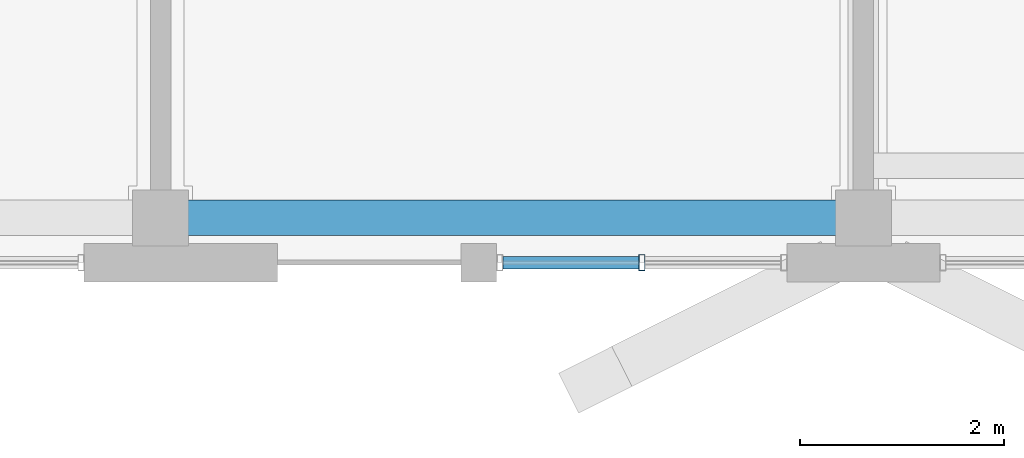
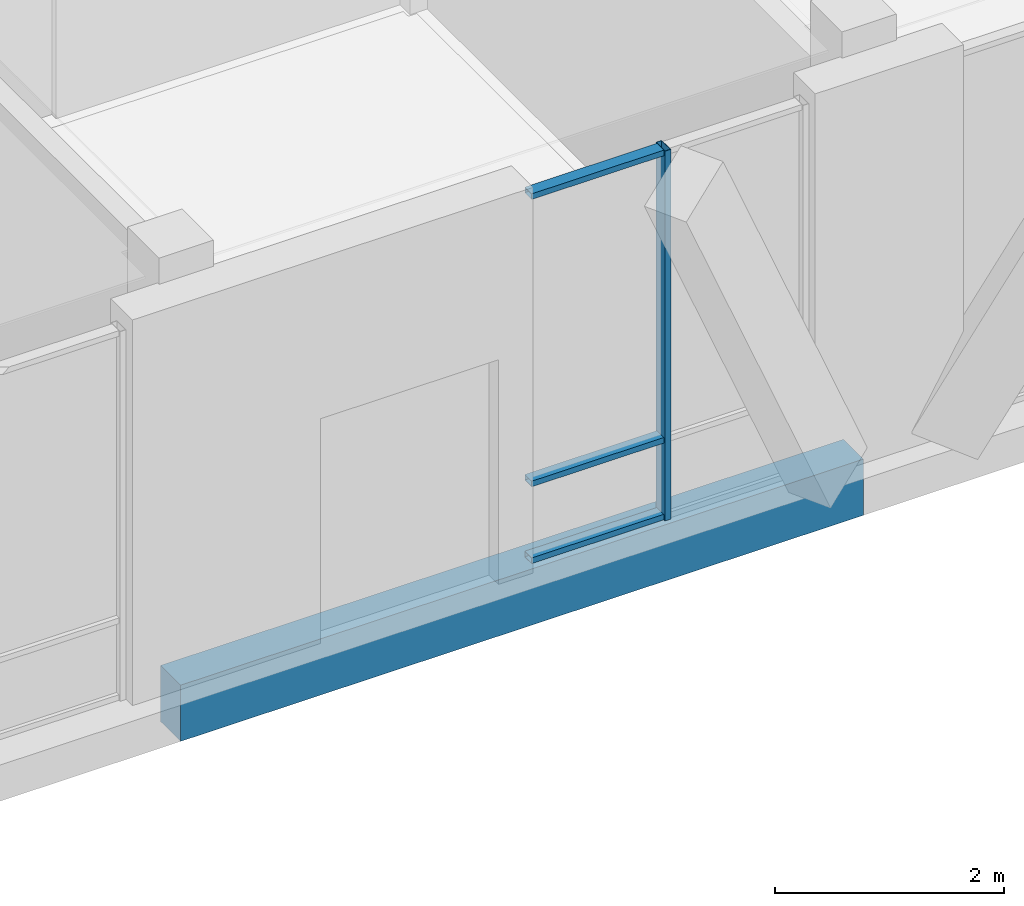
# One storey, part 140 of 233: 4 members, 1 beam, 1 element without a shape of its own.
"""IFC4 building model written with IfcOpenShell, lengths in metres."""

from ifc_helpers import new_model, si_unit, direction, frame, origin, origin_2d, place, context, subcontext, project, spatial, rectangle, hollow_rectangle, extrude, material, material_profile, profile_set, type_object, element, aggregate, save


model = new_model("IFC4")

# Units and contexts
model_context = context("Model", 3, precision=1e-05, world=origin(), true_north=direction((0.0, 1.0)))
body_context = subcontext(model_context, "Body", "Model", "MODEL_VIEW")
ifc_project = project(units=[si_unit("LENGTHUNIT", "METRE"), si_unit("AREAUNIT", "SQUARE_METRE"), si_unit("VOLUMEUNIT", "CUBIC_METRE"), si_unit("PLANEANGLEUNIT", "RADIAN"), si_unit("MASSUNIT", "GRAM", prefix="KILO")], contexts=[model_context])

# Site, building, storey
site_placement = place(None, origin())
site = spatial("IfcSite", under=ifc_project, at=site_placement, CompositionType="ELEMENT")
building_placement = place(site_placement, origin())
building = spatial("IfcBuilding", under=site, at=building_placement, Name="Zavelmont Quarter", CompositionType="ELEMENT")
storey_placement = place(building_placement, origin())
storey = spatial("IfcBuildingStorey", under=building, at=storey_placement, Name="L00", CompositionType="ELEMENT", Elevation=0.0)

# Beam
ifc_material_1 = material(Name="Concrete C35/45", Category="concrete")
ifc_material_profile_1 = material_profile(ifc_material_1, rectangle(XDim=0.35009765625, YDim=0.60009765625, at=origin_2d()), Name="RC350X600")
ifc_profile_set_1 = profile_set([ifc_material_profile_1], Name="Concrete C35/45")
beam_type = type_object("IfcBeamType", Name="BM01", PredefinedType="SPANDREL", material=ifc_profile_set_1)
beam_placement = place(storey_placement, frame((154.199951171875, 0.43994140625, -0.6201171875), z_axis=(1.0, 0.0, 0.0), x_axis=(0.0, 1.0, 0.0)))
element("IfcBeam", 1, at=beam_placement, inside=storey, type_object=beam_type, Name="L00 beam BM01 23/A to 24/A", PredefinedType="SPANDREL", context=body_context, shape_type="SweptSolid", body=[
    extrude(rectangle(XDim=0.35009765625, YDim=0.60009765625, at=origin_2d()), origin(), (0.0, 0.0, 1.0), 6.900146484375),
])

# Curtain wall, members
ifc_material_2 = material(Name="Thermally broken aluminium and double low-E safety glazing", Category="aluminium")
curtain_wall_type = type_object("IfcCurtainWallType", Name="CW-285X395", PredefinedType="NOTDEFINED", material=ifc_material_2)
curtain_wall_placement = place(storey_placement, origin())
curtain_wall = element("IfcCurtainWall", 2, at=curtain_wall_placement, inside=storey, type_object=curtain_wall_type, Name="L00 unitised curtain wall CW-285X395", PredefinedType="NOTDEFINED")
ifc_material_3 = material(Name="Powder-coated aluminium EN AW-6063-T6", Category="aluminium")
ifc_material_profile_2 = material_profile(ifc_material_3, hollow_rectangle(XDim=0.06005859375, YDim=0.159912109375, WallThickness=0.00390625, at=origin_2d()), Name="CWM60X160")
ifc_profile_set_2 = profile_set([ifc_material_profile_2], Name="Powder-coated aluminium EN AW-6063-T6")
member_type_1 = type_object("IfcMemberType", Name="CWM01", PredefinedType="MULLION", material=ifc_profile_set_2)
member_1_placement = place(storey_placement, frame((158.925048828125, 0.0, 0.0), z_axis=(0.0, 0.0, 1.0), x_axis=(1.0, 0.0, 0.0)))
member_1 = element("IfcMember", 3, at=member_1_placement, type_object=member_type_1, Name="CW-285X395 mullion 2", PredefinedType="MULLION", context=body_context, shape_type="SweptSolid", body=[
    extrude(hollow_rectangle(XDim=0.06005859375, YDim=0.159912109375, WallThickness=0.00390625, at=origin_2d()), origin(), (0.0, 0.0, 1.0), 3.949951171875),
])
ifc_material_profile_3 = material_profile(ifc_material_3, hollow_rectangle(XDim=0.1201171875, YDim=0.06005859375, WallThickness=0.00390625, at=origin_2d()), Name="CWT60X120")
ifc_profile_set_3 = profile_set([ifc_material_profile_3], Name="Powder-coated aluminium EN AW-6063-T6")
member_type_2 = type_object("IfcMemberType", Name="CWT01", PredefinedType="NOTDEFINED", material=ifc_profile_set_3)
member_2_placement = place(storey_placement, frame((157.56005859375, 0.0, 0.030029296875), z_axis=(1.0, 0.0, 0.0), x_axis=(0.0, 1.0, 0.0)))
member_2 = element("IfcMember", 4, at=member_2_placement, type_object=member_type_2, Name="CW-285X395 transom 1.1", ObjectType="TRANSOM", PredefinedType="USERDEFINED", context=body_context, shape_type="SweptSolid", body=[
    extrude(hollow_rectangle(XDim=0.1201171875, YDim=0.06005859375, WallThickness=0.00390625, at=origin_2d()), origin(), (0.0, 0.0, 1.0), 1.3349609375),
])
member_3_placement = place(storey_placement, frame((157.56005859375, 0.0, 0.85009765625), z_axis=(1.0, 0.0, 0.0), x_axis=(0.0, 1.0, 0.0)))
member_3 = element("IfcMember", 5, at=member_3_placement, type_object=member_type_2, Name="CW-285X395 transom 1.2", ObjectType="TRANSOM", PredefinedType="USERDEFINED", context=body_context, shape_type="SweptSolid", body=[
    extrude(hollow_rectangle(XDim=0.1201171875, YDim=0.06005859375, WallThickness=0.00390625, at=origin_2d()), origin(), (0.0, 0.0, 1.0), 1.3349609375),
])
member_4_placement = place(storey_placement, frame((157.56005859375, 0.0, 3.919921875), z_axis=(1.0, 0.0, 0.0), x_axis=(0.0, 1.0, 0.0)))
member_4 = element("IfcMember", 6, at=member_4_placement, type_object=member_type_2, Name="CW-285X395 transom 1.3", ObjectType="TRANSOM", PredefinedType="USERDEFINED", context=body_context, shape_type="SweptSolid", body=[
    extrude(hollow_rectangle(XDim=0.1201171875, YDim=0.06005859375, WallThickness=0.00390625, at=origin_2d()), origin(), (0.0, 0.0, 1.0), 1.3349609375),
])
aggregate(curtain_wall, [member_1, member_2, member_3, member_4])

save(model, "model.ifc")
